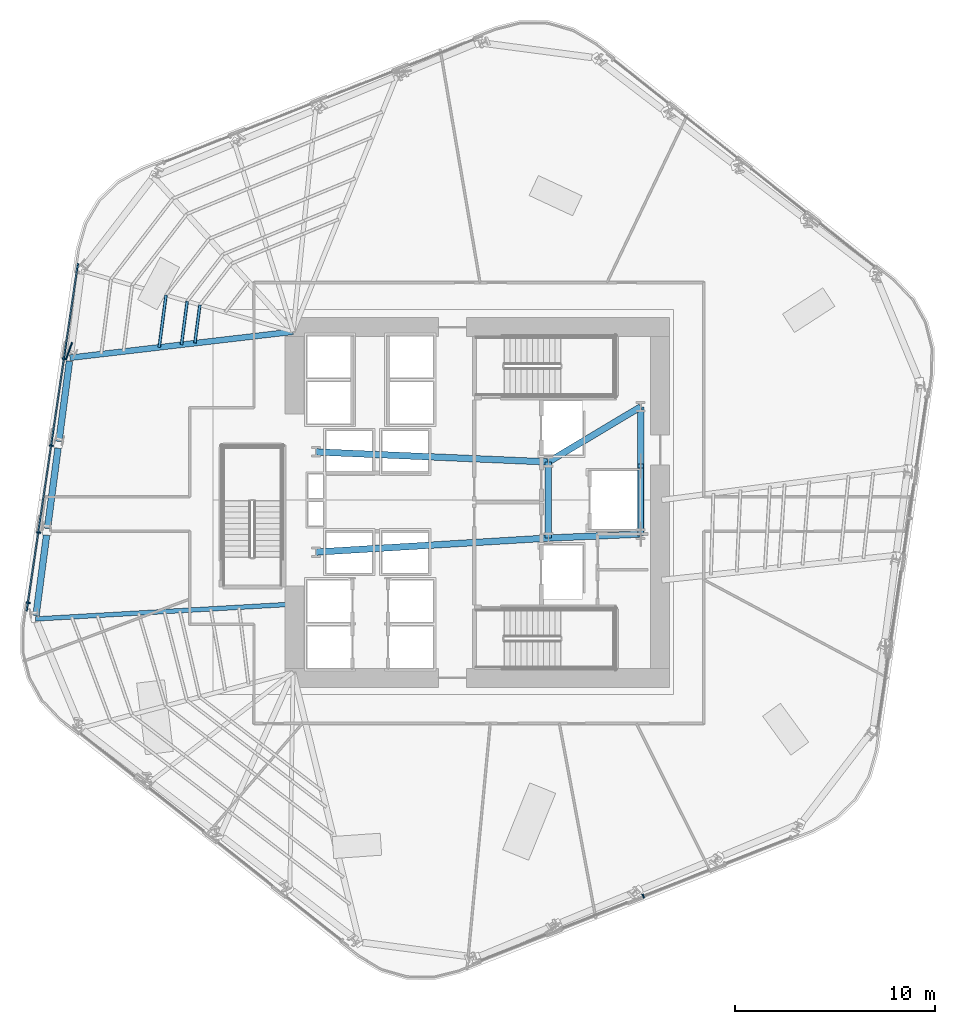
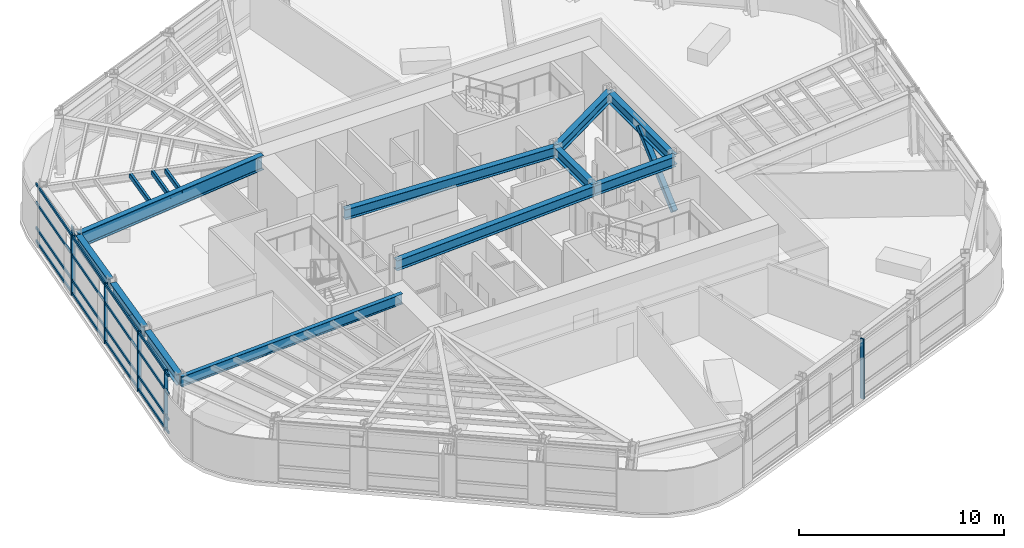
# One storey, part 3 of 17: 14 members, 11 beams, 2 elements without a shape of their own.
"""IFC4 building model written with IfcOpenShell, lengths in metres."""

from ifc_helpers import new_model, si_unit, direction, frame, origin, origin_2d, place, context, subcontext, project, spatial, rectangle, hollow_rectangle, i_section, extrude, material, layer, layer_set, material_profile, profile_set, type_object, element, aggregate, save


model = new_model("IFC4")

# Units and contexts
model_context = context("Model", 3, precision=1e-05, world=origin(), true_north=direction((0.0, 1.0)))
body_context = subcontext(model_context, "Body", "Model", "MODEL_VIEW")
ifc_project = project(units=[si_unit("LENGTHUNIT", "METRE"), si_unit("AREAUNIT", "SQUARE_METRE"), si_unit("VOLUMEUNIT", "CUBIC_METRE"), si_unit("PLANEANGLEUNIT", "RADIAN"), si_unit("MASSUNIT", "GRAM", prefix="KILO")], contexts=[model_context])

# Site, building, storey
site_placement = place(None, origin())
site = spatial("IfcSite", under=ifc_project, at=site_placement, CompositionType="ELEMENT")
building_placement = place(site_placement, origin())
building = spatial("IfcBuilding", under=site, at=building_placement, Name="Valkerne Bourse Tower", CompositionType="ELEMENT")
storey_placement = place(building_placement, frame((0.0, 0.0, 116.199951171875)))
storey = spatial("IfcBuildingStorey", under=building, at=storey_placement, Name="L29", CompositionType="ELEMENT", Elevation=116.199951171875)

# Beams
ifc_material_1 = material(Name="Steel ASTM A992", Category="steel")
ifc_material_profile_1 = material_profile(ifc_material_1, i_section(OverallWidth=0.3251953125, OverallDepth=0.612060546875, WebThickness=0.0126953125, FlangeThickness=0.01904296875, FilletRadius=0.020263671875, at=origin_2d()), Name="W24X104")
ifc_profile_set_1 = profile_set([ifc_material_profile_1], Name="Steel ASTM A992")
beam_type_1 = type_object("IfcBeamType", Name="BM-W24X104", PredefinedType="BEAM", material=ifc_profile_set_1)
beam_1_placement = place(storey_placement, frame((50.35009765625, 25.10009765625, 3.274169921875), z_axis=(0.0, 1.0, 0.0), x_axis=(-1.0, 0.0, 0.0)))
element("IfcBeam", 1, at=beam_1_placement, inside=storey, type_object=beam_type_1, Name="L29 Core Frame Girder CG-CE", PredefinedType="BEAM", context=body_context, shape_type="SweptSolid", body=[
    extrude(i_section(OverallWidth=0.3251953125, OverallDepth=0.612060546875, WebThickness=0.0126953125, FlangeThickness=0.01904296875, FilletRadius=0.020263671875, at=origin_2d()), origin(), (0.0, 0.0, 1.0), 3.7998046875),
])
beam_2_placement = place(storey_placement, frame((50.35009765625, 25.10009765625, 3.274169921875), z_axis=(0.999056558506, 0.043428019819, 0.0), x_axis=(-0.043428019819, 0.999056558506, 0.0)))
element("IfcBeam", 2, at=beam_2_placement, inside=storey, type_object=beam_type_1, Name="L29 Core Frame Girder CG-SE", PredefinedType="BEAM", context=body_context, shape_type="SweptSolid", body=[
    extrude(i_section(OverallWidth=0.3251953125, OverallDepth=0.612060546875, WebThickness=0.0126953125, FlangeThickness=0.01904296875, FilletRadius=0.020263671875, at=origin_2d()), origin(), (0.0, 0.0, 1.0), 4.604248046875),
])
beam_3_placement = place(storey_placement, frame((50.35009765625, 28.89990234375, 3.274169921875), z_axis=(0.858307823492, 0.513135148019, 0.0), x_axis=(-0.513135148019, 0.858307823492, 0.0)))
element("IfcBeam", 3, at=beam_3_placement, inside=storey, type_object=beam_type_1, Name="L29 Core Frame Girder CG-NE", PredefinedType="BEAM", context=body_context, shape_type="SweptSolid", body=[
    extrude(i_section(OverallWidth=0.3251953125, OverallDepth=0.612060546875, WebThickness=0.0126953125, FlangeThickness=0.01904296875, FilletRadius=0.020263671875, at=origin_2d()), origin(), (0.0, 0.0, 1.0), 5.359130859375),
])
beam_4_placement = place(storey_placement, frame((54.949951171875, 25.300048828125, 3.274169921875), z_axis=(0.0, 1.0, 0.0), x_axis=(-1.0, 0.0, 0.0)))
element("IfcBeam", 4, at=beam_4_placement, inside=storey, type_object=beam_type_1, Name="L29 Core Frame Girder CG-EE", PredefinedType="BEAM", context=body_context, shape_type="SweptSolid", body=[
    extrude(i_section(OverallWidth=0.3251953125, OverallDepth=0.612060546875, WebThickness=0.0126953125, FlangeThickness=0.01904296875, FilletRadius=0.020263671875, at=origin_2d()), origin(), (0.0, 0.0, 1.0), 6.349853515625),
])
beam_5_placement = place(storey_placement, frame((38.75, 24.39990234375, 3.274169921875), z_axis=(0.998183228389, 0.060251494276, 0.0), x_axis=(-0.060251494276, 0.998183228389, 0.0)))
element("IfcBeam", 5, at=beam_5_placement, inside=storey, type_object=beam_type_1, Name="L29 Core Frame Girder CG-SW", PredefinedType="BEAM", context=body_context, shape_type="SweptSolid", body=[
    extrude(i_section(OverallWidth=0.3251953125, OverallDepth=0.612060546875, WebThickness=0.0126953125, FlangeThickness=0.01904296875, FilletRadius=0.020263671875, at=origin_2d()), origin(), (0.0, 0.0, 1.0), 11.62109375),
])
beam_6_placement = place(storey_placement, frame((38.75, 29.39990234375, 3.274169921875), z_axis=(0.999072354402, -0.043063101019, 0.0), x_axis=(0.043063101019, 0.999072354402, 0.0)))
element("IfcBeam", 6, at=beam_6_placement, inside=storey, type_object=beam_type_1, Name="L29 Core Frame Girder CG-NW", PredefinedType="BEAM", context=body_context, shape_type="SweptSolid", body=[
    extrude(i_section(OverallWidth=0.3251953125, OverallDepth=0.612060546875, WebThickness=0.0126953125, FlangeThickness=0.01904296875, FilletRadius=0.020263671875, at=origin_2d()), origin(), (0.0, 0.0, 1.0), 11.61083984375),
])
ifc_material_profile_2 = material_profile(ifc_material_1, i_section(OverallWidth=0.330078125, OverallDepth=0.647705078125, WebThickness=0.0205078125, FlangeThickness=0.037109375, FilletRadius=0.020263671875, at=origin_2d()), Name="W24X192")
ifc_profile_set_2 = profile_set([ifc_material_profile_2], Name="Steel ASTM A992")
beam_type_2 = type_object("IfcBeamType", Name="BM-W24X192", PredefinedType="SPANDREL", material=ifc_profile_set_2)
for number, where, z_axis, x_axis, name in (
    (7, (26.442626953125, 33.929443359375, 3.25634765625), (-0.130549794248, -0.991441753822, 0.0), (0.991441753822, -0.130549794248, 0.0), "L29 Hexagonal Spandrel Ring Beam 11"),
    (8, (25.87060546875, 29.583984375, 3.25634765625), (-0.130549794248, -0.991441753822, 0.0), (0.991441753822, -0.130549794248, 0.0), "L29 Hexagonal Spandrel Ring Beam 12"),
    (9, (25.29833984375, 25.238525390625, 3.25634765625), (-0.130490438874, -0.991449567735, 0.0), (0.991449567735, -0.130490438874, 0.0), "L29 Hexagonal Spandrel Ring Beam 13"),
):
    element("IfcBeam", number, at=place(storey_placement, frame(where, z_axis=z_axis, x_axis=x_axis)), inside=storey, type_object=beam_type_2, Name=name, PredefinedType="SPANDREL", context=body_context, shape_type="SweptSolid", body=[
        extrude(i_section(OverallWidth=0.330078125, OverallDepth=0.647705078125, WebThickness=0.0205078125, FlangeThickness=0.037109375, FilletRadius=0.020263671875, at=origin_2d()), origin(), (0.0, 0.0, 1.0), 4.043212890625),
    ])
ifc_material_profile_3 = material_profile(ifc_material_1, i_section(OverallWidth=0.228271484375, OverallDepth=0.607177734375, WebThickness=0.01123046875, FlangeThickness=0.017333984375, FilletRadius=0.017822265625, at=origin_2d()), Name="W24X76")
ifc_profile_set_3 = profile_set([ifc_material_profile_3], Name="Steel ASTM A992")
beam_type_3 = type_object("IfcBeamType", Name="BM-W24X76", PredefinedType="JOIST", material=ifc_profile_set_3)
beam_7_placement = place(storey_placement, frame((24.74853515625, 21.0615234375, 3.2763671875), z_axis=(0.99835291887, 0.057371154627, 0.0), x_axis=(-0.057371154627, 0.99835291887, 0.0)))
element("IfcBeam", 10, at=beam_7_placement, inside=storey, type_object=beam_type_3, Name="L29 Radial Composite Floor Beam 14", PredefinedType="JOIST", context=body_context, shape_type="SweptSolid", body=[
    extrude(i_section(OverallWidth=0.228271484375, OverallDepth=0.607177734375, WebThickness=0.01123046875, FlangeThickness=0.017333984375, FilletRadius=0.017822265625, at=origin_2d()), origin(), (0.0, 0.0, 1.0), 12.872802734375),
])
ifc_material_profile_4 = material_profile(ifc_material_1, i_section(OverallWidth=0.2919921875, OverallDepth=0.8583984375, WebThickness=0.01708984375, FlangeThickness=0.031005859375, FilletRadius=0.025390625, at=origin_2d()), Name="W33X169")
ifc_profile_set_4 = profile_set([ifc_material_profile_4], Name="Steel ASTM A992")
beam_type_4 = type_object("IfcBeamType", Name="BM-W33X169", PredefinedType="BEAM", material=ifc_profile_set_4)
beam_8_placement = place(storey_placement, frame((26.46484375, 34.097900390625, 3.15087890625), z_axis=(0.993233446371, 0.116134925882, 0.0), x_axis=(-0.116134925882, 0.993233446371, 0.0)))
element("IfcBeam", 11, at=beam_8_placement, inside=storey, type_object=beam_type_4, Name="L29 Radial Composite Floor Beam 11", PredefinedType="BEAM", context=body_context, shape_type="SweptSolid", body=[
    extrude(i_section(OverallWidth=0.2919921875, OverallDepth=0.8583984375, WebThickness=0.01708984375, FlangeThickness=0.031005859375, FilletRadius=0.025390625, at=origin_2d()), origin(), (0.0, 0.0, 1.0), 11.211181640625),
])

# Curtain wall, members
ifc_material_2 = material(Name="Aluminium AA 6063-T6", Category="aluminium")
ifc_layer = layer(ifc_material_2, 0.22998046875)
ifc_layer_set = layer_set([ifc_layer], Name="Aluminium AA 6063-T6")
curtain_wall_type = type_object("IfcCurtainWallType", Name="CW-02", PredefinedType="NOTDEFINED", material=ifc_layer_set)
curtain_wall_1_placement = place(storey_placement, origin())
curtain_wall_1 = element("IfcCurtainWall", 12, at=curtain_wall_1_placement, inside=storey, type_object=curtain_wall_type, Name="L29 Hexagonal Stick Curtain Wall Face 3", PredefinedType="NOTDEFINED")
ifc_material_profile_5 = material_profile(ifc_material_2, rectangle(XDim=0.074951171875, YDim=0.199951171875, at=origin_2d()), Name="CWM-75X200")
ifc_profile_set_5 = profile_set([ifc_material_profile_5], Name="Aluminium AA 6063-T6")
member_type_1 = type_object("IfcMemberType", Name="CW-MUL-220X75", PredefinedType="MULLION", material=ifc_profile_set_5)
member_1_placement = place(storey_placement, frame((26.18115234375, 34.05078125, 0.0), z_axis=(0.0, 0.0, 1.0), x_axis=(-0.146089725684, -0.989271343995, 0.0)))
member_1 = element("IfcMember", 13, at=member_1_placement, type_object=member_type_1, Name="CW-L29-F3 Jamb Mullion 01A", PredefinedType="MULLION", context=body_context, shape_type="SweptSolid", body=[
    extrude(rectangle(XDim=0.074951171875, YDim=0.199951171875, at=origin_2d()), origin(), (0.0, 0.0, 1.0), 3.580078125),
])
member_2_placement = place(storey_placement, frame((25.540771484375, 29.71484375, 0.0), z_axis=(0.0, 0.0, 1.0), x_axis=(-0.146086428352, -0.98927183092, 0.0)))
member_2 = element("IfcMember", 14, at=member_2_placement, type_object=member_type_1, Name="CW-L29-F3 Jamb Mullion 02A", PredefinedType="MULLION", context=body_context, shape_type="SweptSolid", body=[
    extrude(rectangle(XDim=0.074951171875, YDim=0.199951171875, at=origin_2d()), origin(), (0.0, 0.0, 1.0), 3.580078125),
])
member_3_placement = place(storey_placement, frame((24.900390625, 25.37890625, 0.0), z_axis=(0.0, 0.0, 1.0), x_axis=(-0.146086428352, -0.98927183092, 0.0)))
member_3 = element("IfcMember", 15, at=member_3_placement, type_object=member_type_1, Name="CW-L29-F3 Jamb Mullion 03A", PredefinedType="MULLION", context=body_context, shape_type="SweptSolid", body=[
    extrude(rectangle(XDim=0.074951171875, YDim=0.199951171875, at=origin_2d()), origin(), (0.0, 0.0, 1.0), 3.580078125),
])
member_4_placement = place(storey_placement, frame((24.3828125, 21.873779296875, 0.0), z_axis=(0.0, 0.0, 1.0), x_axis=(-0.146086428352, -0.98927183092, 0.0)))
member_4 = element("IfcMember", 16, at=member_4_placement, type_object=member_type_1, Name="CW-L29-F3 Jamb Mullion 03B", PredefinedType="MULLION", context=body_context, shape_type="SweptSolid", body=[
    extrude(rectangle(XDim=0.074951171875, YDim=0.199951171875, at=origin_2d()), origin(), (0.0, 0.0, 1.0), 3.580078125),
])

# Curtain wall, member
curtain_wall_2_placement = place(storey_placement, origin())
curtain_wall_2 = element("IfcCurtainWall", 17, at=curtain_wall_2_placement, inside=storey, type_object=curtain_wall_type, Name="L29 Hexagonal Stick Curtain Wall Face 5", PredefinedType="NOTDEFINED")
member_5_placement = place(storey_placement, frame((55.07861328125, 7.231689453125, 0.0), z_axis=(0.0, 0.0, 1.0), x_axis=(0.929775378666, 0.368127349196, 0.0)))
member_5 = element("IfcMember", 18, at=member_5_placement, type_object=member_type_1, Name="CW-L29-F5 Jamb Mullion 02A", PredefinedType="MULLION", context=body_context, shape_type="SweptSolid", body=[
    extrude(rectangle(XDim=0.074951171875, YDim=0.199951171875, at=origin_2d()), origin(), (0.0, 0.0, 1.0), 3.580078125),
])
aggregate(curtain_wall_2, [member_5])

# Member
ifc_material_profile_6 = material_profile(ifc_material_2, rectangle(XDim=0.074951171875, YDim=0.14990234375, at=origin_2d()), Name="CWT-75X150")
ifc_profile_set_6 = profile_set([ifc_material_profile_6], Name="Aluminium AA 6063-T6")
member_type_2 = type_object("IfcMemberType", Name="CW-TRN-180X65", PredefinedType="USERDEFINED", material=ifc_profile_set_6)
member_6_placement = place(storey_placement, frame((26.863037109375, 38.80517578125, 0.1201171875), z_axis=(-0.146090903081, -0.989271170123, 0.0), x_axis=(0.989271170123, -0.146090903081, 0.0)))
member_6 = element("IfcMember", 19, at=member_6_placement, type_object=member_type_2, Name="CW-L29-F3 Continuous Face Transom 1", ObjectType="TRANSOM", PredefinedType="USERDEFINED", context=body_context, shape_type="SweptSolid", body=[
    extrude(rectangle(XDim=0.074951171875, YDim=0.14990234375, at=origin_2d()), origin(), (0.0, 0.0, 1.0), 17.531982421875),
])

member_7_placement = place(storey_placement, frame((26.863037109375, 38.80517578125, 0.900146484375), z_axis=(-0.146090903081, -0.989271170123, 0.0), x_axis=(0.989271170123, -0.146090903081, 0.0)))
member_7 = element("IfcMember", 20, at=member_7_placement, type_object=member_type_2, Name="CW-L29-F3 Continuous Face Transom 2", ObjectType="TRANSOM", PredefinedType="USERDEFINED", context=body_context, shape_type="SweptSolid", body=[
    extrude(rectangle(XDim=0.074951171875, YDim=0.14990234375, at=origin_2d()), origin(), (0.0, 0.0, 1.0), 17.531982421875),
])

member_8_placement = place(storey_placement, frame((26.863037109375, 38.80517578125, 2.400146484375), z_axis=(-0.146090903081, -0.989271170123, 0.0), x_axis=(0.989271170123, -0.146090903081, 0.0)))
member_8 = element("IfcMember", 21, at=member_8_placement, type_object=member_type_2, Name="CW-L29-F3 Continuous Face Transom 3", ObjectType="TRANSOM", PredefinedType="USERDEFINED", context=body_context, shape_type="SweptSolid", body=[
    extrude(rectangle(XDim=0.074951171875, YDim=0.14990234375, at=origin_2d()), origin(), (0.0, 0.0, 1.0), 17.531982421875),
])

member_9_placement = place(storey_placement, frame((26.863037109375, 38.80517578125, 3.5), z_axis=(-0.146090903081, -0.989271170123, 0.0), x_axis=(0.989271170123, -0.146090903081, 0.0)))
member_9 = element("IfcMember", 22, at=member_9_placement, type_object=member_type_2, Name="CW-L29-F3 Continuous Face Transom 4", ObjectType="TRANSOM", PredefinedType="USERDEFINED", context=body_context, shape_type="SweptSolid", body=[
    extrude(rectangle(XDim=0.074951171875, YDim=0.14990234375, at=origin_2d()), origin(), (0.0, 0.0, 1.0), 17.531982421875),
])

aggregate(curtain_wall_1, [member_6, member_7, member_8, member_9, member_1, member_2, member_3, member_4])

# Members
ifc_material_3 = material(Name="Bronze Anodised Aluminium AA 6063-T6", Category="aluminium")
ifc_material_profile_7 = material_profile(ifc_material_3, rectangle(XDim=0.070068359375, YDim=0.89990234375, at=origin_2d()), Name="FIN-70X900")
ifc_profile_set_7 = profile_set([ifc_material_profile_7], Name="Bronze Anodised Aluminium AA 6063-T6")
member_type_3 = type_object("IfcMemberType", Name="FIN-SOLAR-900", PredefinedType="USERDEFINED", material=ifc_profile_set_7)
member_10_placement = place(storey_placement, frame((26.42041015625, 34.43994140625, 0.004150390625), z_axis=(0.0, 0.0, 1.0), x_axis=(-0.940557906608, 0.339633367498, 0.0)))
element("IfcMember", 23, at=member_10_placement, inside=storey, type_object=member_type_3, Name="L29 Bronze Anodised Solar Fin F3-01", ObjectType="SOLAR_FIN", PredefinedType="USERDEFINED", context=body_context, shape_type="SweptSolid", body=[
    extrude(rectangle(XDim=0.070068359375, YDim=0.89990234375, at=origin_2d()), origin(), (0.0, 0.0, 1.0), 3.57177734375),
])
ifc_material_4 = material(Name="Steel ASTM A500 Grade C", Category="steel")
ifc_material_profile_8 = material_profile(ifc_material_4, hollow_rectangle(XDim=0.14990234375, YDim=0.300048828125, WallThickness=0.012451171875, OuterFilletRadius=0.02490234375, at=origin_2d()), Name="HSS300X150X12.5")
ifc_profile_set_8 = profile_set([ifc_material_profile_8], Name="Steel ASTM A500 Grade C")
member_type_4 = type_object("IfcMemberType", Name="MBR-HSS300X150X12.5", PredefinedType="PURLIN", material=ifc_profile_set_8)
member_11_placement = place(storey_placement, frame((32.9521484375, 36.739013671875, 3.420166015625), z_axis=(-0.130529837477, -0.99144438146, 0.0), x_axis=(0.99144438146, -0.130529837477, 0.0)))
element("IfcMember", 24, at=member_11_placement, inside=storey, type_object=member_type_4, Name="L29 Secondary Composite Floor Purlin K-10", PredefinedType="PURLIN", context=body_context, shape_type="SweptSolid", body=[
    extrude(hollow_rectangle(XDim=0.14990234375, YDim=0.300048828125, WallThickness=0.012451171875, OuterFilletRadius=0.02490234375, at=origin_2d()), origin(), (0.0, 0.0, 1.0), 1.928466796875),
])
member_12_placement = place(storey_placement, frame((32.318359375, 36.921875, 3.420166015625), z_axis=(-0.130448749221, -0.991455053861, 0.0), x_axis=(0.991455053861, -0.130448749221, 0.0)))
element("IfcMember", 25, at=member_12_placement, inside=storey, type_object=member_type_4, Name="L29 Secondary Composite Floor Purlin M-10", PredefinedType="PURLIN", context=body_context, shape_type="SweptSolid", body=[
    extrude(hollow_rectangle(XDim=0.14990234375, YDim=0.300048828125, WallThickness=0.012451171875, OuterFilletRadius=0.02490234375, at=origin_2d()), origin(), (0.0, 0.0, 1.0), 2.191650390625),
])
member_13_placement = place(storey_placement, frame((31.26220703125, 37.22607421875, 3.420166015625), z_axis=(-0.130533764712, -0.991443864407, 0.0), x_axis=(0.991443864407, -0.130533764712, 0.0)))
element("IfcMember", 26, at=member_13_placement, inside=storey, type_object=member_type_4, Name="L29 Secondary Composite Floor Purlin Z-10", PredefinedType="PURLIN", context=body_context, shape_type="SweptSolid", body=[
    extrude(hollow_rectangle(XDim=0.14990234375, YDim=0.300048828125, WallThickness=0.012451171875, OuterFilletRadius=0.02490234375, at=origin_2d()), origin(), (0.0, 0.0, 1.0), 2.629638671875),
])
ifc_material_profile_9 = material_profile(ifc_material_4, hollow_rectangle(XDim=0.300048828125, YDim=0.300048828125, WallThickness=0.012451171875, OuterFilletRadius=0.02490234375, at=origin_2d()), Name="HSS300X300X12.5")
ifc_profile_set_9 = profile_set([ifc_material_profile_9], Name="Steel ASTM A500 Grade C")
member_type_5 = type_object("IfcMemberType", Name="MBR-HSS300X300X12.5", PredefinedType="STRUT", material=ifc_profile_set_9)
member_14_placement = place(storey_placement, frame((54.949951171875, 25.300048828125, 0.219970703125), z_axis=(0.0, 0.743915376654, 0.668273830385), x_axis=(-1.0, 0.0, 0.0)))
element("IfcMember", 27, at=member_14_placement, inside=storey, type_object=member_type_5, Name="L29 Core Service Pier Lateral Brace", PredefinedType="STRUT", context=body_context, shape_type="SweptSolid", body=[
    extrude(hollow_rectangle(XDim=0.300048828125, YDim=0.300048828125, WallThickness=0.012451171875, OuterFilletRadius=0.02490234375, at=origin_2d()), origin(), (0.0, 0.0, 1.0), 4.5703125),
])

save(model, "model.ifc")
